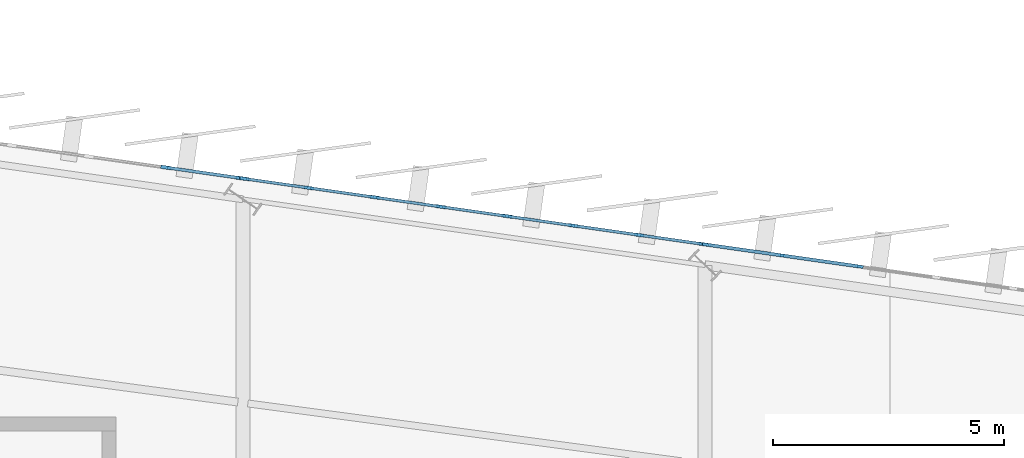
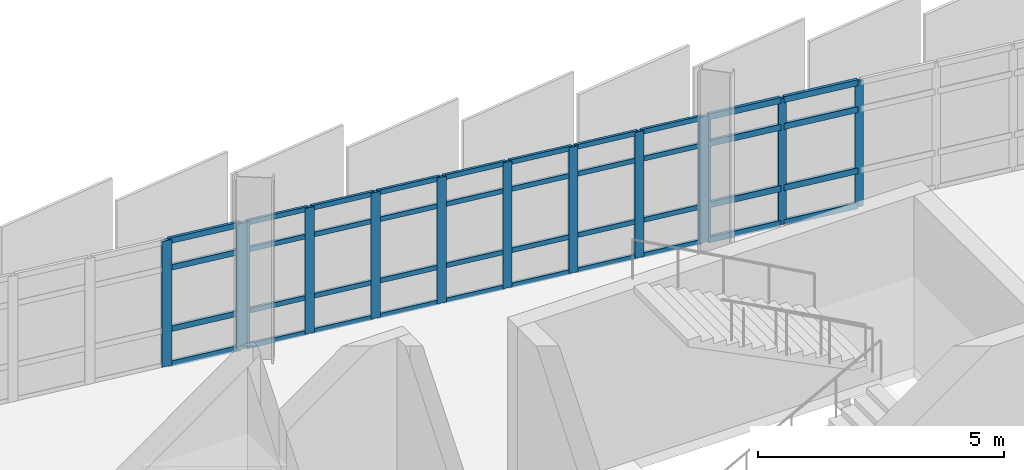
# One storey, part 61 of 125: 53 members, 3 elements without a shape of their own.
"""IFC4 building model written with IfcOpenShell, lengths in metres."""

from ifc_helpers import new_model, si_unit, direction, frame, origin, origin_2d, place, context, subcontext, project, spatial, rectangle, extrude, material, layer, layer_set, material_profile, profile_set, type_object, element, aggregate, save


model = new_model("IFC4")

# Units and contexts
model_context = context("Model", 3, precision=1e-05, world=origin(), true_north=direction((0.0, 1.0)))
body_context = subcontext(model_context, "Body", "Model", "MODEL_VIEW")
ifc_project = project(units=[si_unit("LENGTHUNIT", "METRE"), si_unit("AREAUNIT", "SQUARE_METRE"), si_unit("VOLUMEUNIT", "CUBIC_METRE"), si_unit("PLANEANGLEUNIT", "RADIAN"), si_unit("MASSUNIT", "GRAM", prefix="KILO")], contexts=[model_context])

# Site, building, storey
site_placement = place(None, origin())
site = spatial("IfcSite", under=ifc_project, at=site_placement, CompositionType="ELEMENT")
building_placement = place(site_placement, origin())
building = spatial("IfcBuilding", under=site, at=building_placement, Name="Sohan Crest Arena", CompositionType="ELEMENT")
storey_placement = place(building_placement, frame((0.0, 0.0, 9.0)))
storey = spatial("IfcBuildingStorey", under=building, at=storey_placement, Name="L02", CompositionType="ELEMENT", Elevation=9.0)

# Curtain wall, members
ifc_material = material(Name="Thermally broken anodised aluminium", Category="aluminium")
ifc_layer_1 = layer(ifc_material, 0.2099609375, Name="Thermally broken anodised aluminium")
ifc_layer_set_1 = layer_set([ifc_layer_1], Name="Thermally broken anodised aluminium")
curtain_wall_type_1 = type_object("IfcCurtainWallType", Name="ARC-CW06", PredefinedType="NOTDEFINED", material=ifc_layer_set_1)
curtain_wall_1_placement = place(storey_placement, origin())
curtain_wall_1 = element("IfcCurtainWall", 1, at=curtain_wall_1_placement, inside=storey, type_object=curtain_wall_type_1, Name="Unitised curtain wall CW-075", PredefinedType="NOTDEFINED")
ifc_material_profile_1 = material_profile(ifc_material, rectangle(XDim=0.06494140625, YDim=0.179931640625, at=origin_2d()), Name="ALU-MULL 65x180")
ifc_profile_set_1 = profile_set([ifc_material_profile_1], Name="Thermally broken anodised aluminium")
member_type_1 = type_object("IfcMemberType", Name="ARC-CW-ML02", PredefinedType="MULLION", material=ifc_profile_set_1)
member_1_placement = place(storey_placement, frame((141.333251953125, 120.259765625, 0.0), z_axis=(0.0, 0.0, 1.0), x_axis=(-0.141462933734, -0.989943553128, 0.0)))
member_1 = element("IfcMember", 2, at=member_1_placement, type_object=member_type_1, Name="CW-075 mullion 5", PredefinedType="MULLION", context=body_context, shape_type="SweptSolid", body=[
    extrude(rectangle(XDim=0.06494140625, YDim=0.179931640625, at=origin_2d()), origin(), (0.0, 0.0, 1.0), 3.1201171875),
])
member_2_placement = place(storey_placement, frame((139.666748046875, 120.497802734375, 0.0), z_axis=(0.0, 0.0, 1.0), x_axis=(-0.141462933734, -0.989943553128, 0.0)))
member_2 = element("IfcMember", 3, at=member_2_placement, type_object=member_type_1, Name="CW-075 mullion 6", PredefinedType="MULLION", context=body_context, shape_type="SweptSolid", body=[
    extrude(rectangle(XDim=0.06494140625, YDim=0.179931640625, at=origin_2d()), origin(), (0.0, 0.0, 1.0), 3.1201171875),
])
member_3_placement = place(storey_placement, frame((138.0322265625, 120.7314453125, 0.0), z_axis=(0.0, 0.0, 1.0), x_axis=(-0.141462933734, -0.989943553128, 0.0)))
member_3 = element("IfcMember", 4, at=member_3_placement, type_object=member_type_1, Name="CW-075 mullion 7", PredefinedType="MULLION", context=body_context, shape_type="SweptSolid", body=[
    extrude(rectangle(XDim=0.06494140625, YDim=0.179931640625, at=origin_2d()), origin(), (0.0, 0.0, 1.0), 3.1201171875),
])

ifc_layer_2 = layer(ifc_material, 0.179931640625, Name="Thermally broken anodised aluminium")
ifc_layer_set_2 = layer_set([ifc_layer_2], Name="Thermally broken anodised aluminium")
curtain_wall_type_2 = type_object("IfcCurtainWallType", Name="ARC-CW01", PredefinedType="NOTDEFINED", material=ifc_layer_set_2)
curtain_wall_2_placement = place(storey_placement, origin())
curtain_wall_2 = element("IfcCurtainWall", 5, at=curtain_wall_2_placement, inside=storey, type_object=curtain_wall_type_2, Name="Unitised curtain wall CW-076", PredefinedType="NOTDEFINED")
ifc_material_profile_2 = material_profile(ifc_material, rectangle(XDim=0.070068359375, YDim=0.199951171875, at=origin_2d()), Name="ALU-MULL 70x200")
ifc_profile_set_2 = profile_set([ifc_material_profile_2], Name="Thermally broken anodised aluminium")
member_type_2 = type_object("IfcMemberType", Name="ARC-CW-ML03", PredefinedType="MULLION", material=ifc_profile_set_2)
member_4_placement = place(storey_placement, frame((137.96533203125, 120.740966796875, 0.0), z_axis=(0.0, 0.0, 1.0), x_axis=(-0.141365918403, -0.989957411768, 0.0)))
member_4 = element("IfcMember", 6, at=member_4_placement, type_object=member_type_2, Name="CW-076 mullion 1", PredefinedType="MULLION", context=body_context, shape_type="SweptSolid", body=[
    extrude(rectangle(XDim=0.070068359375, YDim=0.199951171875, at=origin_2d()), origin(), (0.0, 0.0, 1.0), 3.1201171875),
])
member_5_placement = place(storey_placement, frame((136.571533203125, 120.93994140625, 0.0), z_axis=(0.0, 0.0, 1.0), x_axis=(-0.141365918403, -0.989957411768, 0.0)))
member_5 = element("IfcMember", 7, at=member_5_placement, type_object=member_type_2, Name="CW-076 mullion 2", PredefinedType="MULLION", context=body_context, shape_type="SweptSolid", body=[
    extrude(rectangle(XDim=0.070068359375, YDim=0.199951171875, at=origin_2d()), origin(), (0.0, 0.0, 1.0), 3.1201171875),
])
member_6_placement = place(storey_placement, frame((135.142822265625, 121.14404296875, 0.0), z_axis=(0.0, 0.0, 1.0), x_axis=(-0.141365918403, -0.989957411768, 0.0)))
member_6 = element("IfcMember", 8, at=member_6_placement, type_object=member_type_2, Name="CW-076 mullion 3", PredefinedType="MULLION", context=body_context, shape_type="SweptSolid", body=[
    extrude(rectangle(XDim=0.070068359375, YDim=0.199951171875, at=origin_2d()), origin(), (0.0, 0.0, 1.0), 3.1201171875),
])
member_7_placement = place(storey_placement, frame((133.71435546875, 121.347900390625, 0.0), z_axis=(0.0, 0.0, 1.0), x_axis=(-0.141365918403, -0.989957411768, 0.0)))
member_7 = element("IfcMember", 9, at=member_7_placement, type_object=member_type_2, Name="CW-076 mullion 4", PredefinedType="MULLION", context=body_context, shape_type="SweptSolid", body=[
    extrude(rectangle(XDim=0.070068359375, YDim=0.199951171875, at=origin_2d()), origin(), (0.0, 0.0, 1.0), 3.1201171875),
])
member_8_placement = place(storey_placement, frame((132.28564453125, 121.552001953125, 0.0), z_axis=(0.0, 0.0, 1.0), x_axis=(-0.141365918403, -0.989957411768, 0.0)))
member_8 = element("IfcMember", 10, at=member_8_placement, type_object=member_type_2, Name="CW-076 mullion 5", PredefinedType="MULLION", context=body_context, shape_type="SweptSolid", body=[
    extrude(rectangle(XDim=0.070068359375, YDim=0.199951171875, at=origin_2d()), origin(), (0.0, 0.0, 1.0), 3.1201171875),
])
member_9_placement = place(storey_placement, frame((130.857177734375, 121.756103515625, 0.0), z_axis=(0.0, 0.0, 1.0), x_axis=(-0.141365918403, -0.989957411768, 0.0)))
member_9 = element("IfcMember", 11, at=member_9_placement, type_object=member_type_2, Name="CW-076 mullion 6", PredefinedType="MULLION", context=body_context, shape_type="SweptSolid", body=[
    extrude(rectangle(XDim=0.070068359375, YDim=0.199951171875, at=origin_2d()), origin(), (0.0, 0.0, 1.0), 3.1201171875),
])
member_10_placement = place(storey_placement, frame((129.428466796875, 121.9599609375, 0.0), z_axis=(0.0, 0.0, 1.0), x_axis=(-0.141365918403, -0.989957411768, 0.0)))
member_10 = element("IfcMember", 12, at=member_10_placement, type_object=member_type_2, Name="CW-076 mullion 7", PredefinedType="MULLION", context=body_context, shape_type="SweptSolid", body=[
    extrude(rectangle(XDim=0.070068359375, YDim=0.199951171875, at=origin_2d()), origin(), (0.0, 0.0, 1.0), 3.1201171875),
])
member_11_placement = place(storey_placement, frame((128.03466796875, 122.158935546875, 0.0), z_axis=(0.0, 0.0, 1.0), x_axis=(-0.141365918403, -0.989957411768, 0.0)))
member_11 = element("IfcMember", 13, at=member_11_placement, type_object=member_type_2, Name="CW-076 mullion 8", PredefinedType="MULLION", context=body_context, shape_type="SweptSolid", body=[
    extrude(rectangle(XDim=0.070068359375, YDim=0.199951171875, at=origin_2d()), origin(), (0.0, 0.0, 1.0), 3.1201171875),
])

ifc_layer_3 = layer(ifc_material, 0.199951171875, Name="Thermally broken anodised aluminium")
ifc_layer_set_3 = layer_set([ifc_layer_3], Name="Thermally broken anodised aluminium")
curtain_wall_type_3 = type_object("IfcCurtainWallType", Name="ARC-CW02", PredefinedType="NOTDEFINED", material=ifc_layer_set_3)
curtain_wall_3_placement = place(storey_placement, origin())
curtain_wall_3 = element("IfcCurtainWall", 14, at=curtain_wall_3_placement, inside=storey, type_object=curtain_wall_type_3, Name="Unitised curtain wall CW-077", PredefinedType="NOTDEFINED")
ifc_material_profile_3 = material_profile(ifc_material, rectangle(XDim=0.074951171875, YDim=0.219970703125, at=origin_2d()), Name="ALU-MULL 75x220")
ifc_profile_set_3 = profile_set([ifc_material_profile_3], Name="Thermally broken anodised aluminium")
member_type_3 = type_object("IfcMemberType", Name="ARC-CW-ML04", PredefinedType="MULLION", material=ifc_profile_set_3)
member_12_placement = place(storey_placement, frame((127.962890625, 122.169189453125, 0.0), z_axis=(0.0, 0.0, 1.0), x_axis=(-0.141462933734, -0.989943553128, 0.0)))
member_12 = element("IfcMember", 15, at=member_12_placement, type_object=member_type_3, Name="CW-077 mullion 1", PredefinedType="MULLION", context=body_context, shape_type="SweptSolid", body=[
    extrude(rectangle(XDim=0.074951171875, YDim=0.219970703125, at=origin_2d()), origin(), (0.0, 0.0, 1.0), 3.1201171875),
])
member_13_placement = place(storey_placement, frame((126.333251953125, 122.402099609375, 0.0), z_axis=(0.0, 0.0, 1.0), x_axis=(-0.141462933734, -0.989943553128, 0.0)))
member_13 = element("IfcMember", 16, at=member_13_placement, type_object=member_type_3, Name="CW-077 mullion 2", PredefinedType="MULLION", context=body_context, shape_type="SweptSolid", body=[
    extrude(rectangle(XDim=0.074951171875, YDim=0.219970703125, at=origin_2d()), origin(), (0.0, 0.0, 1.0), 3.1201171875),
])

# Member
ifc_material_profile_4 = material_profile(ifc_material, rectangle(XDim=0.06005859375, YDim=0.1201171875, at=origin_2d()), Name="ALU-TRAN 60x120")
ifc_profile_set_4 = profile_set([ifc_material_profile_4], Name="Thermally broken anodised aluminium")
member_type_4 = type_object("IfcMemberType", Name="ARC-CW-TR01", PredefinedType="USERDEFINED", material=ifc_profile_set_4)
member_14_placement = place(storey_placement, frame((137.9306640625, 120.745849609375, 0.030029296875), z_axis=(-0.989953142256, 0.141395813721, 0.0), x_axis=(-0.141395813721, -0.989953142256, 0.0)))
member_14 = element("IfcMember", 17, at=member_14_placement, type_object=member_type_4, Name="CW-076 transom 1.1", ObjectType="TRANSOM", PredefinedType="USERDEFINED", context=body_context, shape_type="SweptSolid", body=[
    extrude(rectangle(XDim=0.06005859375, YDim=0.1201171875, at=origin_2d()), origin(), (0.0, 0.0, 1.0), 1.338134765625),
])

member_15_placement = place(storey_placement, frame((137.9306640625, 120.745849609375, 0.89990234375), z_axis=(-0.989953142256, 0.141395813721, 0.0), x_axis=(-0.141395813721, -0.989953142256, 0.0)))
member_15 = element("IfcMember", 18, at=member_15_placement, type_object=member_type_4, Name="CW-076 transom 1.2", ObjectType="TRANSOM", PredefinedType="USERDEFINED", context=body_context, shape_type="SweptSolid", body=[
    extrude(rectangle(XDim=0.06005859375, YDim=0.1201171875, at=origin_2d()), origin(), (0.0, 0.0, 1.0), 1.338134765625),
])

member_16_placement = place(storey_placement, frame((137.9306640625, 120.745849609375, 2.419921875), z_axis=(-0.989953142256, 0.141395813721, 0.0), x_axis=(-0.141395813721, -0.989953142256, 0.0)))
member_16 = element("IfcMember", 19, at=member_16_placement, type_object=member_type_4, Name="CW-076 transom 1.3", ObjectType="TRANSOM", PredefinedType="USERDEFINED", context=body_context, shape_type="SweptSolid", body=[
    extrude(rectangle(XDim=0.06005859375, YDim=0.1201171875, at=origin_2d()), origin(), (0.0, 0.0, 1.0), 1.338134765625),
])

member_17_placement = place(storey_placement, frame((137.9306640625, 120.745849609375, 3.090087890625), z_axis=(-0.989953142256, 0.141395813721, 0.0), x_axis=(-0.141395813721, -0.989953142256, 0.0)))
member_17 = element("IfcMember", 20, at=member_17_placement, type_object=member_type_4, Name="CW-076 transom 1.4", ObjectType="TRANSOM", PredefinedType="USERDEFINED", context=body_context, shape_type="SweptSolid", body=[
    extrude(rectangle(XDim=0.06005859375, YDim=0.1201171875, at=origin_2d()), origin(), (0.0, 0.0, 1.0), 1.338134765625),
])

member_18_placement = place(storey_placement, frame((136.536865234375, 120.945068359375, 0.030029296875), z_axis=(-0.989960158519, 0.141346682116, 0.0), x_axis=(-0.141346682116, -0.989960158519, 0.0)))
member_18 = element("IfcMember", 21, at=member_18_placement, type_object=member_type_4, Name="CW-076 transom 2.1", ObjectType="TRANSOM", PredefinedType="USERDEFINED", context=body_context, shape_type="SweptSolid", body=[
    extrude(rectangle(XDim=0.06005859375, YDim=0.1201171875, at=origin_2d()), origin(), (0.0, 0.0, 1.0), 1.373046875),
])

member_19_placement = place(storey_placement, frame((136.536865234375, 120.945068359375, 0.89990234375), z_axis=(-0.989960158519, 0.141346682116, 0.0), x_axis=(-0.141346682116, -0.989960158519, 0.0)))
member_19 = element("IfcMember", 22, at=member_19_placement, type_object=member_type_4, Name="CW-076 transom 2.2", ObjectType="TRANSOM", PredefinedType="USERDEFINED", context=body_context, shape_type="SweptSolid", body=[
    extrude(rectangle(XDim=0.06005859375, YDim=0.1201171875, at=origin_2d()), origin(), (0.0, 0.0, 1.0), 1.373046875),
])

member_20_placement = place(storey_placement, frame((136.536865234375, 120.945068359375, 2.419921875), z_axis=(-0.989960158519, 0.141346682116, 0.0), x_axis=(-0.141346682116, -0.989960158519, 0.0)))
member_20 = element("IfcMember", 23, at=member_20_placement, type_object=member_type_4, Name="CW-076 transom 2.3", ObjectType="TRANSOM", PredefinedType="USERDEFINED", context=body_context, shape_type="SweptSolid", body=[
    extrude(rectangle(XDim=0.06005859375, YDim=0.1201171875, at=origin_2d()), origin(), (0.0, 0.0, 1.0), 1.373046875),
])

member_21_placement = place(storey_placement, frame((136.536865234375, 120.945068359375, 3.090087890625), z_axis=(-0.989960158519, 0.141346682116, 0.0), x_axis=(-0.141346682116, -0.989960158519, 0.0)))
member_21 = element("IfcMember", 24, at=member_21_placement, type_object=member_type_4, Name="CW-076 transom 2.4", ObjectType="TRANSOM", PredefinedType="USERDEFINED", context=body_context, shape_type="SweptSolid", body=[
    extrude(rectangle(XDim=0.06005859375, YDim=0.1201171875, at=origin_2d()), origin(), (0.0, 0.0, 1.0), 1.373046875),
])

member_22_placement = place(storey_placement, frame((135.108154296875, 121.14892578125, 0.030029296875), z_axis=(-0.989956605444, 0.141371564815, 0.0), x_axis=(-0.141371564815, -0.989956605444, 0.0)))
member_22 = element("IfcMember", 25, at=member_22_placement, type_object=member_type_4, Name="CW-076 transom 3.1", ObjectType="TRANSOM", PredefinedType="USERDEFINED", context=body_context, shape_type="SweptSolid", body=[
    extrude(rectangle(XDim=0.06005859375, YDim=0.1201171875, at=origin_2d()), origin(), (0.0, 0.0, 1.0), 1.372802734375),
])

member_23_placement = place(storey_placement, frame((135.108154296875, 121.14892578125, 0.89990234375), z_axis=(-0.989956605444, 0.141371564815, 0.0), x_axis=(-0.141371564815, -0.989956605444, 0.0)))
member_23 = element("IfcMember", 26, at=member_23_placement, type_object=member_type_4, Name="CW-076 transom 3.2", ObjectType="TRANSOM", PredefinedType="USERDEFINED", context=body_context, shape_type="SweptSolid", body=[
    extrude(rectangle(XDim=0.06005859375, YDim=0.1201171875, at=origin_2d()), origin(), (0.0, 0.0, 1.0), 1.372802734375),
])

member_24_placement = place(storey_placement, frame((135.108154296875, 121.14892578125, 2.419921875), z_axis=(-0.989956605444, 0.141371564815, 0.0), x_axis=(-0.141371564815, -0.989956605444, 0.0)))
member_24 = element("IfcMember", 27, at=member_24_placement, type_object=member_type_4, Name="CW-076 transom 3.3", ObjectType="TRANSOM", PredefinedType="USERDEFINED", context=body_context, shape_type="SweptSolid", body=[
    extrude(rectangle(XDim=0.06005859375, YDim=0.1201171875, at=origin_2d()), origin(), (0.0, 0.0, 1.0), 1.372802734375),
])

member_25_placement = place(storey_placement, frame((135.108154296875, 121.14892578125, 3.090087890625), z_axis=(-0.989956605444, 0.141371564815, 0.0), x_axis=(-0.141371564815, -0.989956605444, 0.0)))
member_25 = element("IfcMember", 28, at=member_25_placement, type_object=member_type_4, Name="CW-076 transom 3.4", ObjectType="TRANSOM", PredefinedType="USERDEFINED", context=body_context, shape_type="SweptSolid", body=[
    extrude(rectangle(XDim=0.06005859375, YDim=0.1201171875, at=origin_2d()), origin(), (0.0, 0.0, 1.0), 1.372802734375),
])

member_26_placement = place(storey_placement, frame((133.6796875, 121.35302734375, 0.030029296875), z_axis=(-0.989960158519, 0.141346682116, 0.0), x_axis=(-0.141346682116, -0.989960158519, 0.0)))
member_26 = element("IfcMember", 29, at=member_26_placement, type_object=member_type_4, Name="CW-076 transom 4.1", ObjectType="TRANSOM", PredefinedType="USERDEFINED", context=body_context, shape_type="SweptSolid", body=[
    extrude(rectangle(XDim=0.06005859375, YDim=0.1201171875, at=origin_2d()), origin(), (0.0, 0.0, 1.0), 1.373046875),
])

member_27_placement = place(storey_placement, frame((133.6796875, 121.35302734375, 0.89990234375), z_axis=(-0.989960158519, 0.141346682116, 0.0), x_axis=(-0.141346682116, -0.989960158519, 0.0)))
member_27 = element("IfcMember", 30, at=member_27_placement, type_object=member_type_4, Name="CW-076 transom 4.2", ObjectType="TRANSOM", PredefinedType="USERDEFINED", context=body_context, shape_type="SweptSolid", body=[
    extrude(rectangle(XDim=0.06005859375, YDim=0.1201171875, at=origin_2d()), origin(), (0.0, 0.0, 1.0), 1.373046875),
])

member_28_placement = place(storey_placement, frame((133.6796875, 121.35302734375, 2.419921875), z_axis=(-0.989960158519, 0.141346682116, 0.0), x_axis=(-0.141346682116, -0.989960158519, 0.0)))
member_28 = element("IfcMember", 31, at=member_28_placement, type_object=member_type_4, Name="CW-076 transom 4.3", ObjectType="TRANSOM", PredefinedType="USERDEFINED", context=body_context, shape_type="SweptSolid", body=[
    extrude(rectangle(XDim=0.06005859375, YDim=0.1201171875, at=origin_2d()), origin(), (0.0, 0.0, 1.0), 1.373046875),
])

member_29_placement = place(storey_placement, frame((133.6796875, 121.35302734375, 3.090087890625), z_axis=(-0.989960158519, 0.141346682116, 0.0), x_axis=(-0.141346682116, -0.989960158519, 0.0)))
member_29 = element("IfcMember", 32, at=member_29_placement, type_object=member_type_4, Name="CW-076 transom 4.4", ObjectType="TRANSOM", PredefinedType="USERDEFINED", context=body_context, shape_type="SweptSolid", body=[
    extrude(rectangle(XDim=0.06005859375, YDim=0.1201171875, at=origin_2d()), origin(), (0.0, 0.0, 1.0), 1.373046875),
])

member_30_placement = place(storey_placement, frame((132.2509765625, 121.556884765625, 0.030029296875), z_axis=(-0.989956605444, 0.141371564815, 0.0), x_axis=(-0.141371564815, -0.989956605444, 0.0)))
member_30 = element("IfcMember", 33, at=member_30_placement, type_object=member_type_4, Name="CW-076 transom 5.1", ObjectType="TRANSOM", PredefinedType="USERDEFINED", context=body_context, shape_type="SweptSolid", body=[
    extrude(rectangle(XDim=0.06005859375, YDim=0.1201171875, at=origin_2d()), origin(), (0.0, 0.0, 1.0), 1.372802734375),
])

member_31_placement = place(storey_placement, frame((132.2509765625, 121.556884765625, 0.89990234375), z_axis=(-0.989956605444, 0.141371564815, 0.0), x_axis=(-0.141371564815, -0.989956605444, 0.0)))
member_31 = element("IfcMember", 34, at=member_31_placement, type_object=member_type_4, Name="CW-076 transom 5.2", ObjectType="TRANSOM", PredefinedType="USERDEFINED", context=body_context, shape_type="SweptSolid", body=[
    extrude(rectangle(XDim=0.06005859375, YDim=0.1201171875, at=origin_2d()), origin(), (0.0, 0.0, 1.0), 1.372802734375),
])

member_32_placement = place(storey_placement, frame((132.2509765625, 121.556884765625, 2.419921875), z_axis=(-0.989956605444, 0.141371564815, 0.0), x_axis=(-0.141371564815, -0.989956605444, 0.0)))
member_32 = element("IfcMember", 35, at=member_32_placement, type_object=member_type_4, Name="CW-076 transom 5.3", ObjectType="TRANSOM", PredefinedType="USERDEFINED", context=body_context, shape_type="SweptSolid", body=[
    extrude(rectangle(XDim=0.06005859375, YDim=0.1201171875, at=origin_2d()), origin(), (0.0, 0.0, 1.0), 1.372802734375),
])

member_33_placement = place(storey_placement, frame((132.2509765625, 121.556884765625, 3.090087890625), z_axis=(-0.989956605444, 0.141371564815, 0.0), x_axis=(-0.141371564815, -0.989956605444, 0.0)))
member_33 = element("IfcMember", 36, at=member_33_placement, type_object=member_type_4, Name="CW-076 transom 5.4", ObjectType="TRANSOM", PredefinedType="USERDEFINED", context=body_context, shape_type="SweptSolid", body=[
    extrude(rectangle(XDim=0.06005859375, YDim=0.1201171875, at=origin_2d()), origin(), (0.0, 0.0, 1.0), 1.372802734375),
])

member_34_placement = place(storey_placement, frame((130.822509765625, 121.760986328125, 0.030029296875), z_axis=(-0.989960158519, 0.141346682116, 0.0), x_axis=(-0.141346682116, -0.989960158519, 0.0)))
member_34 = element("IfcMember", 37, at=member_34_placement, type_object=member_type_4, Name="CW-076 transom 6.1", ObjectType="TRANSOM", PredefinedType="USERDEFINED", context=body_context, shape_type="SweptSolid", body=[
    extrude(rectangle(XDim=0.06005859375, YDim=0.1201171875, at=origin_2d()), origin(), (0.0, 0.0, 1.0), 1.373046875),
])

member_35_placement = place(storey_placement, frame((130.822509765625, 121.760986328125, 0.89990234375), z_axis=(-0.989960158519, 0.141346682116, 0.0), x_axis=(-0.141346682116, -0.989960158519, 0.0)))
member_35 = element("IfcMember", 38, at=member_35_placement, type_object=member_type_4, Name="CW-076 transom 6.2", ObjectType="TRANSOM", PredefinedType="USERDEFINED", context=body_context, shape_type="SweptSolid", body=[
    extrude(rectangle(XDim=0.06005859375, YDim=0.1201171875, at=origin_2d()), origin(), (0.0, 0.0, 1.0), 1.373046875),
])

member_36_placement = place(storey_placement, frame((130.822509765625, 121.760986328125, 2.419921875), z_axis=(-0.989960158519, 0.141346682116, 0.0), x_axis=(-0.141346682116, -0.989960158519, 0.0)))
member_36 = element("IfcMember", 39, at=member_36_placement, type_object=member_type_4, Name="CW-076 transom 6.3", ObjectType="TRANSOM", PredefinedType="USERDEFINED", context=body_context, shape_type="SweptSolid", body=[
    extrude(rectangle(XDim=0.06005859375, YDim=0.1201171875, at=origin_2d()), origin(), (0.0, 0.0, 1.0), 1.373046875),
])

member_37_placement = place(storey_placement, frame((130.822509765625, 121.760986328125, 3.090087890625), z_axis=(-0.989960158519, 0.141346682116, 0.0), x_axis=(-0.141346682116, -0.989960158519, 0.0)))
member_37 = element("IfcMember", 40, at=member_37_placement, type_object=member_type_4, Name="CW-076 transom 6.4", ObjectType="TRANSOM", PredefinedType="USERDEFINED", context=body_context, shape_type="SweptSolid", body=[
    extrude(rectangle(XDim=0.06005859375, YDim=0.1201171875, at=origin_2d()), origin(), (0.0, 0.0, 1.0), 1.373046875),
])

member_38_placement = place(storey_placement, frame((129.39404296875, 121.96484375, 0.030029296875), z_axis=(-0.989953142256, 0.141395813721, 0.0), x_axis=(-0.141395813721, -0.989953142256, 0.0)))
member_38 = element("IfcMember", 41, at=member_38_placement, type_object=member_type_4, Name="CW-076 transom 7.1", ObjectType="TRANSOM", PredefinedType="USERDEFINED", context=body_context, shape_type="SweptSolid", body=[
    extrude(rectangle(XDim=0.06005859375, YDim=0.1201171875, at=origin_2d()), origin(), (0.0, 0.0, 1.0), 1.338134765625),
])

member_39_placement = place(storey_placement, frame((129.39404296875, 121.96484375, 0.89990234375), z_axis=(-0.989953142256, 0.141395813721, 0.0), x_axis=(-0.141395813721, -0.989953142256, 0.0)))
member_39 = element("IfcMember", 42, at=member_39_placement, type_object=member_type_4, Name="CW-076 transom 7.2", ObjectType="TRANSOM", PredefinedType="USERDEFINED", context=body_context, shape_type="SweptSolid", body=[
    extrude(rectangle(XDim=0.06005859375, YDim=0.1201171875, at=origin_2d()), origin(), (0.0, 0.0, 1.0), 1.338134765625),
])

member_40_placement = place(storey_placement, frame((129.39404296875, 121.96484375, 2.419921875), z_axis=(-0.989953142256, 0.141395813721, 0.0), x_axis=(-0.141395813721, -0.989953142256, 0.0)))
member_40 = element("IfcMember", 43, at=member_40_placement, type_object=member_type_4, Name="CW-076 transom 7.3", ObjectType="TRANSOM", PredefinedType="USERDEFINED", context=body_context, shape_type="SweptSolid", body=[
    extrude(rectangle(XDim=0.06005859375, YDim=0.1201171875, at=origin_2d()), origin(), (0.0, 0.0, 1.0), 1.338134765625),
])

member_41_placement = place(storey_placement, frame((129.39404296875, 121.96484375, 3.090087890625), z_axis=(-0.989953142256, 0.141395813721, 0.0), x_axis=(-0.141395813721, -0.989953142256, 0.0)))
member_41 = element("IfcMember", 44, at=member_41_placement, type_object=member_type_4, Name="CW-076 transom 7.4", ObjectType="TRANSOM", PredefinedType="USERDEFINED", context=body_context, shape_type="SweptSolid", body=[
    extrude(rectangle(XDim=0.06005859375, YDim=0.1201171875, at=origin_2d()), origin(), (0.0, 0.0, 1.0), 1.338134765625),
])

aggregate(curtain_wall_2, [member_4, member_5, member_6, member_7, member_8, member_9, member_10, member_11, member_14, member_15, member_16, member_17, member_18, member_19, member_20, member_21, member_22, member_23, member_24, member_25, member_26, member_27, member_28, member_29, member_30, member_31, member_32, member_33, member_34, member_35, member_36, member_37, member_38, member_39, member_40, member_41])

ifc_material_profile_5 = material_profile(ifc_material, rectangle(XDim=0.06494140625, YDim=0.139892578125, at=origin_2d()), Name="ALU-TRAN 65x140")
ifc_profile_set_5 = profile_set([ifc_material_profile_5], Name="Thermally broken anodised aluminium")
member_type_5 = type_object("IfcMemberType", Name="ARC-CW-TR02", PredefinedType="USERDEFINED", material=ifc_profile_set_5)
member_42_placement = place(storey_placement, frame((127.92578125, 122.174560546875, 0.032470703125), z_axis=(-0.989930839365, 0.141551874849, 0.0), x_axis=(-0.141551874849, -0.989930839365, 0.0)))
member_42 = element("IfcMember", 45, at=member_42_placement, type_object=member_type_5, Name="CW-077 transom 1.1", ObjectType="TRANSOM", PredefinedType="USERDEFINED", context=body_context, shape_type="SweptSolid", body=[
    extrude(rectangle(XDim=0.06494140625, YDim=0.139892578125, at=origin_2d()), origin(), (0.0, 0.0, 1.0), 1.5712890625),
])

member_43_placement = place(storey_placement, frame((127.92578125, 122.174560546875, 0.89990234375), z_axis=(-0.989930839365, 0.141551874849, 0.0), x_axis=(-0.141551874849, -0.989930839365, 0.0)))
member_43 = element("IfcMember", 46, at=member_43_placement, type_object=member_type_5, Name="CW-077 transom 1.2", ObjectType="TRANSOM", PredefinedType="USERDEFINED", context=body_context, shape_type="SweptSolid", body=[
    extrude(rectangle(XDim=0.06494140625, YDim=0.139892578125, at=origin_2d()), origin(), (0.0, 0.0, 1.0), 1.5712890625),
])

member_44_placement = place(storey_placement, frame((127.92578125, 122.174560546875, 2.419921875), z_axis=(-0.989930839365, 0.141551874849, 0.0), x_axis=(-0.141551874849, -0.989930839365, 0.0)))
member_44 = element("IfcMember", 47, at=member_44_placement, type_object=member_type_5, Name="CW-077 transom 1.3", ObjectType="TRANSOM", PredefinedType="USERDEFINED", context=body_context, shape_type="SweptSolid", body=[
    extrude(rectangle(XDim=0.06494140625, YDim=0.139892578125, at=origin_2d()), origin(), (0.0, 0.0, 1.0), 1.5712890625),
])

member_45_placement = place(storey_placement, frame((127.92578125, 122.174560546875, 3.08740234375), z_axis=(-0.989930839365, 0.141551874849, 0.0), x_axis=(-0.141551874849, -0.989930839365, 0.0)))
member_45 = element("IfcMember", 48, at=member_45_placement, type_object=member_type_5, Name="CW-077 transom 1.4", ObjectType="TRANSOM", PredefinedType="USERDEFINED", context=body_context, shape_type="SweptSolid", body=[
    extrude(rectangle(XDim=0.06494140625, YDim=0.139892578125, at=origin_2d()), origin(), (0.0, 0.0, 1.0), 1.5712890625),
])

aggregate(curtain_wall_3, [member_12, member_13, member_42, member_43, member_44, member_45])

ifc_material_profile_6 = material_profile(ifc_material, rectangle(XDim=0.070068359375, YDim=0.14990234375, at=origin_2d()), Name="ALU-TRAN 70x150")
ifc_profile_set_6 = profile_set([ifc_material_profile_6], Name="Thermally broken anodised aluminium")
member_type_6 = type_object("IfcMemberType", Name="ARC-CW-TR03", PredefinedType="USERDEFINED", material=ifc_profile_set_6)
member_46_placement = place(storey_placement, frame((141.30126953125, 120.26416015625, 0.034912109375), z_axis=(-0.989943460198, 0.141463584044, 0.0), x_axis=(-0.141463584044, -0.989943460198, 0.0)))
member_46 = element("IfcMember", 49, at=member_46_placement, type_object=member_type_6, Name="CW-075 transom 5.1", ObjectType="TRANSOM", PredefinedType="USERDEFINED", context=body_context, shape_type="SweptSolid", body=[
    extrude(rectangle(XDim=0.070068359375, YDim=0.14990234375, at=origin_2d()), origin(), (0.0, 0.0, 1.0), 1.618896484375),
])

member_47_placement = place(storey_placement, frame((141.30126953125, 120.26416015625, 0.89990234375), z_axis=(-0.989943460198, 0.141463584044, 0.0), x_axis=(-0.141463584044, -0.989943460198, 0.0)))
member_47 = element("IfcMember", 50, at=member_47_placement, type_object=member_type_6, Name="CW-075 transom 5.2", ObjectType="TRANSOM", PredefinedType="USERDEFINED", context=body_context, shape_type="SweptSolid", body=[
    extrude(rectangle(XDim=0.070068359375, YDim=0.14990234375, at=origin_2d()), origin(), (0.0, 0.0, 1.0), 1.618896484375),
])

member_48_placement = place(storey_placement, frame((141.30126953125, 120.26416015625, 2.419921875), z_axis=(-0.989943460198, 0.141463584044, 0.0), x_axis=(-0.141463584044, -0.989943460198, 0.0)))
member_48 = element("IfcMember", 51, at=member_48_placement, type_object=member_type_6, Name="CW-075 transom 5.3", ObjectType="TRANSOM", PredefinedType="USERDEFINED", context=body_context, shape_type="SweptSolid", body=[
    extrude(rectangle(XDim=0.070068359375, YDim=0.14990234375, at=origin_2d()), origin(), (0.0, 0.0, 1.0), 1.618896484375),
])

member_49_placement = place(storey_placement, frame((141.30126953125, 120.26416015625, 3.0849609375), z_axis=(-0.989943460198, 0.141463584044, 0.0), x_axis=(-0.141463584044, -0.989943460198, 0.0)))
member_49 = element("IfcMember", 52, at=member_49_placement, type_object=member_type_6, Name="CW-075 transom 5.4", ObjectType="TRANSOM", PredefinedType="USERDEFINED", context=body_context, shape_type="SweptSolid", body=[
    extrude(rectangle(XDim=0.070068359375, YDim=0.14990234375, at=origin_2d()), origin(), (0.0, 0.0, 1.0), 1.618896484375),
])

member_50_placement = place(storey_placement, frame((139.634521484375, 120.50244140625, 0.034912109375), z_axis=(-0.989943335402, 0.141464457353, 0.0), x_axis=(-0.141464457353, -0.989943335402, 0.0)))
member_50 = element("IfcMember", 53, at=member_50_placement, type_object=member_type_6, Name="CW-075 transom 6.1", ObjectType="TRANSOM", PredefinedType="USERDEFINED", context=body_context, shape_type="SweptSolid", body=[
    extrude(rectangle(XDim=0.070068359375, YDim=0.14990234375, at=origin_2d()), origin(), (0.0, 0.0, 1.0), 1.5859375),
])

member_51_placement = place(storey_placement, frame((139.634521484375, 120.50244140625, 0.89990234375), z_axis=(-0.989943335402, 0.141464457353, 0.0), x_axis=(-0.141464457353, -0.989943335402, 0.0)))
member_51 = element("IfcMember", 54, at=member_51_placement, type_object=member_type_6, Name="CW-075 transom 6.2", ObjectType="TRANSOM", PredefinedType="USERDEFINED", context=body_context, shape_type="SweptSolid", body=[
    extrude(rectangle(XDim=0.070068359375, YDim=0.14990234375, at=origin_2d()), origin(), (0.0, 0.0, 1.0), 1.5859375),
])

member_52_placement = place(storey_placement, frame((139.634521484375, 120.50244140625, 2.419921875), z_axis=(-0.989943335402, 0.141464457353, 0.0), x_axis=(-0.141464457353, -0.989943335402, 0.0)))
member_52 = element("IfcMember", 55, at=member_52_placement, type_object=member_type_6, Name="CW-075 transom 6.3", ObjectType="TRANSOM", PredefinedType="USERDEFINED", context=body_context, shape_type="SweptSolid", body=[
    extrude(rectangle(XDim=0.070068359375, YDim=0.14990234375, at=origin_2d()), origin(), (0.0, 0.0, 1.0), 1.5859375),
])

member_53_placement = place(storey_placement, frame((139.634521484375, 120.50244140625, 3.0849609375), z_axis=(-0.989943335402, 0.141464457353, 0.0), x_axis=(-0.141464457353, -0.989943335402, 0.0)))
member_53 = element("IfcMember", 56, at=member_53_placement, type_object=member_type_6, Name="CW-075 transom 6.4", ObjectType="TRANSOM", PredefinedType="USERDEFINED", context=body_context, shape_type="SweptSolid", body=[
    extrude(rectangle(XDim=0.070068359375, YDim=0.14990234375, at=origin_2d()), origin(), (0.0, 0.0, 1.0), 1.5859375),
])

aggregate(curtain_wall_1, [member_1, member_2, member_3, member_46, member_47, member_48, member_49, member_50, member_51, member_52, member_53])

save(model, "model.ifc")
